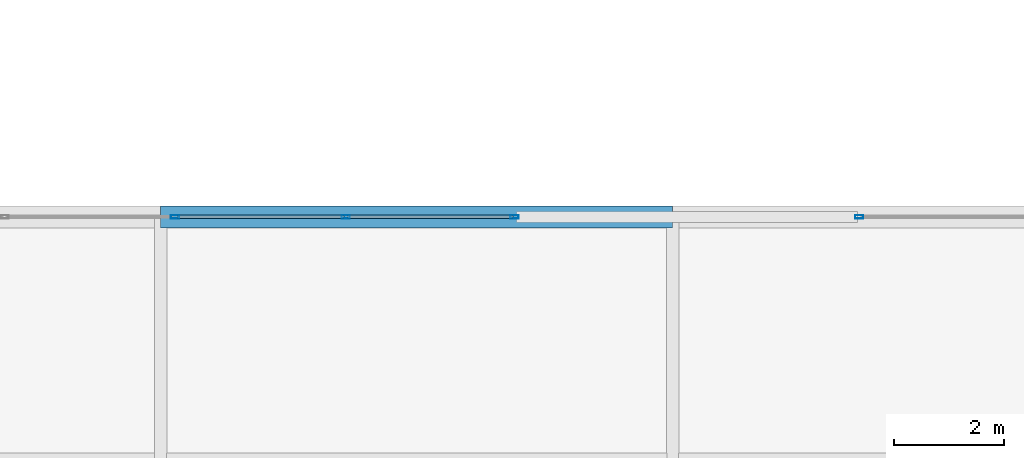
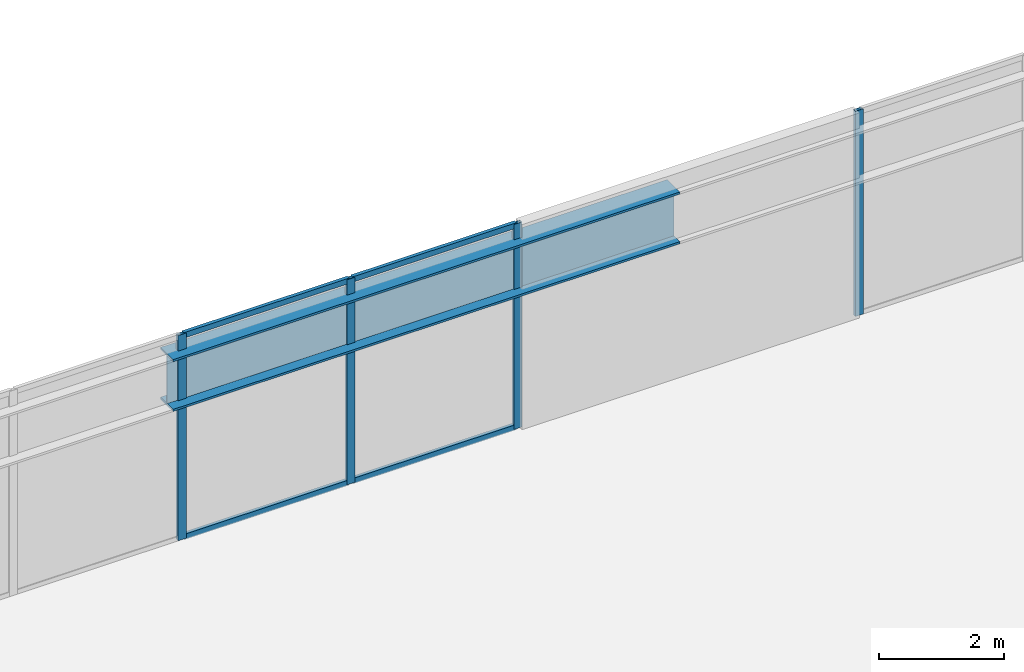
# One storey, part 24 of 51: 8 members, 1 beam, 2 elements without a shape of their own.
"""IFC4 building model written with IfcOpenShell, lengths in metres."""

from ifc_helpers import new_model, si_unit, direction, frame, origin, origin_2d, place, context, subcontext, project, spatial, hollow_rectangle, i_section, extrude, material, material_profile, profile_set, type_object, element, aggregate, save


model = new_model("IFC4")

# Units and contexts
model_context = context("Model", 3, precision=1e-05, world=origin(), true_north=direction((0.0, 1.0)))
body_context = subcontext(model_context, "Body", "Model", "MODEL_VIEW")
ifc_project = project(units=[si_unit("LENGTHUNIT", "METRE"), si_unit("AREAUNIT", "SQUARE_METRE"), si_unit("VOLUMEUNIT", "CUBIC_METRE"), si_unit("PLANEANGLEUNIT", "RADIAN"), si_unit("MASSUNIT", "GRAM", prefix="KILO")], contexts=[model_context])

# Site, building, storey
site_placement = place(None, origin())
site = spatial("IfcSite", under=ifc_project, at=site_placement, CompositionType="ELEMENT")
building_placement = place(site_placement, origin())
building = spatial("IfcBuilding", under=site, at=building_placement, Name="Tashvorn Skyway Center", CompositionType="ELEMENT")
storey_placement = place(building_placement, frame((0.0, 0.0, 259.39990234375)))
storey = spatial("IfcBuildingStorey", under=building, at=storey_placement, Name="L70", CompositionType="ELEMENT", Elevation=259.39990234375)

# Beam
ifc_material_1 = material(Name="Steel ASTM A913 Grade 65", Category="steel")
ifc_material_profile_1 = material_profile(ifc_material_1, i_section(OverallWidth=0.40087890625, OverallDepth=1.010986328125, WebThickness=0.023681640625, FlangeThickness=0.0419921875, at=origin_2d()), Name="W40X297")
ifc_profile_set_1 = profile_set([ifc_material_profile_1], Name="Steel ASTM A913 Grade 65")
beam_type = type_object("IfcBeamType", Name="BM-BEAM-W40X297", PredefinedType="BEAM", material=ifc_profile_set_1)
beam_placement = place(storey_placement, frame((66.39990234375, 39.89990234375, 3.194580078125), z_axis=(1.0, 0.0, 0.0), x_axis=(0.0, 1.0, 0.0)))
element("IfcBeam", 1, at=beam_placement, inside=storey, type_object=beam_type, Name="Sky-Park Truss 2 Top Chord Panel 07", PredefinedType="BEAM", context=body_context, shape_type="SweptSolid", body=[
    extrude(i_section(OverallWidth=0.40087890625, OverallDepth=1.010986328125, WebThickness=0.023681640625, FlangeThickness=0.0419921875, at=origin_2d()), origin(), (0.0, 0.0, 1.0), 9.35009765625),
])

# Curtain wall, members
ifc_material_2 = material(Name="Thermally broken bronze-anodized aluminium 6063-T6", Category="aluminium")
curtain_wall_type = type_object("IfcCurtainWallType", Name="CW-CW-SKY", PredefinedType="NOTDEFINED", material=ifc_material_2)
curtain_wall_1_placement = place(storey_placement, origin())
curtain_wall_1 = element("IfcCurtainWall", 2, at=curtain_wall_1_placement, inside=storey, type_object=curtain_wall_type, Name="Sky-Park L70 Bridge North Curtain Wall Glazing Group 1", PredefinedType="NOTDEFINED")
ifc_material_profile_2 = material_profile(ifc_material_2, hollow_rectangle(XDim=0.06494140625, YDim=0.14990234375, WallThickness=0.00390625, at=origin_2d()), Name="ALU-MULL-65x150")
ifc_profile_set_2 = profile_set([ifc_material_profile_2], Name="Thermally broken bronze-anodized aluminium 6063-T6")
member_type_1 = type_object("IfcMemberType", Name="CWM-CW-SKY", PredefinedType="MULLION", material=ifc_profile_set_2)
member_1_placement = place(storey_placement, frame((66.6650390625, 39.89990234375, 0.0), z_axis=(0.0, 0.0, 1.0), x_axis=(0.0, 1.0, 0.0)))
member_1 = element("IfcMember", 3, at=member_1_placement, type_object=member_type_1, Name="CW-SKY mullion 3", PredefinedType="MULLION", context=body_context, shape_type="SweptSolid", body=[
    extrude(hollow_rectangle(XDim=0.06494140625, YDim=0.14990234375, WallThickness=0.00390625, at=origin_2d()), origin(), (0.0, 0.0, 1.0), 4.0),
])
member_2_placement = place(storey_placement, frame((69.780029296875, 39.89990234375, 0.0), z_axis=(0.0, 0.0, 1.0), x_axis=(0.0, 1.0, 0.0)))
member_2 = element("IfcMember", 4, at=member_2_placement, type_object=member_type_1, Name="CW-SKY mullion 4", PredefinedType="MULLION", context=body_context, shape_type="SweptSolid", body=[
    extrude(hollow_rectangle(XDim=0.06494140625, YDim=0.14990234375, WallThickness=0.00390625, at=origin_2d()), origin(), (0.0, 0.0, 1.0), 4.0),
])
member_3_placement = place(storey_placement, frame((72.862548828125, 39.89990234375, 0.0), z_axis=(0.0, 0.0, 1.0), x_axis=(0.0, 1.0, 0.0)))
member_3 = element("IfcMember", 5, at=member_3_placement, type_object=member_type_1, Name="CW-SKY mullion 5", PredefinedType="MULLION", context=body_context, shape_type="SweptSolid", body=[
    extrude(hollow_rectangle(XDim=0.06494140625, YDim=0.14990234375, WallThickness=0.00390625, at=origin_2d()), origin(), (0.0, 0.0, 1.0), 4.0),
])

# Curtain wall, member
curtain_wall_2_placement = place(storey_placement, origin())
curtain_wall_2 = element("IfcCurtainWall", 6, at=curtain_wall_2_placement, inside=storey, type_object=curtain_wall_type, Name="Sky-Park L70 Bridge North Curtain Wall Glazing Group 2", PredefinedType="NOTDEFINED")
member_4_placement = place(storey_placement, frame((79.157470703125, 39.89990234375, 0.0), z_axis=(0.0, 0.0, 1.0), x_axis=(0.0, 1.0, 0.0)))
member_4 = element("IfcMember", 7, at=member_4_placement, type_object=member_type_1, Name="CW-SKY mullion 1", PredefinedType="MULLION", context=body_context, shape_type="SweptSolid", body=[
    extrude(hollow_rectangle(XDim=0.06494140625, YDim=0.14990234375, WallThickness=0.00390625, at=origin_2d()), origin(), (0.0, 0.0, 1.0), 4.0),
])
aggregate(curtain_wall_2, [member_4])

# Member
ifc_material_profile_3 = material_profile(ifc_material_2, hollow_rectangle(XDim=0.06494140625, YDim=0.10498046875, WallThickness=0.00390625, at=origin_2d()), Name="ALU-TRAN-65x105")
ifc_profile_set_3 = profile_set([ifc_material_profile_3], Name="Thermally broken bronze-anodized aluminium 6063-T6")
member_type_2 = type_object("IfcMemberType", Name="CWT-CW-SKY", PredefinedType="USERDEFINED", material=ifc_profile_set_3)
member_5_placement = place(storey_placement, frame((66.697509765625, 39.89990234375, 0.03271484375), z_axis=(1.0, 0.0, 0.0), x_axis=(0.0, 1.0, 0.0)))
member_5 = element("IfcMember", 8, at=member_5_placement, type_object=member_type_2, Name="CW-SKY transom 3.1", ObjectType="TRANSOM", PredefinedType="USERDEFINED", context=body_context, shape_type="SweptSolid", body=[
    extrude(hollow_rectangle(XDim=0.06494140625, YDim=0.10498046875, WallThickness=0.00390625, at=origin_2d()), origin(), (0.0, 0.0, 1.0), 3.050048828125),
])

member_6_placement = place(storey_placement, frame((66.697509765625, 39.89990234375, 3.967529296875), z_axis=(1.0, 0.0, 0.0), x_axis=(0.0, 1.0, 0.0)))
member_6 = element("IfcMember", 9, at=member_6_placement, type_object=member_type_2, Name="CW-SKY transom 3.2", ObjectType="TRANSOM", PredefinedType="USERDEFINED", context=body_context, shape_type="SweptSolid", body=[
    extrude(hollow_rectangle(XDim=0.06494140625, YDim=0.10498046875, WallThickness=0.00390625, at=origin_2d()), origin(), (0.0, 0.0, 1.0), 3.050048828125),
])

member_7_placement = place(storey_placement, frame((69.8125, 39.89990234375, 0.03271484375), z_axis=(1.0, 0.0, 0.0), x_axis=(0.0, 1.0, 0.0)))
member_7 = element("IfcMember", 10, at=member_7_placement, type_object=member_type_2, Name="CW-SKY transom 4.1", ObjectType="TRANSOM", PredefinedType="USERDEFINED", context=body_context, shape_type="SweptSolid", body=[
    extrude(hollow_rectangle(XDim=0.06494140625, YDim=0.10498046875, WallThickness=0.00390625, at=origin_2d()), origin(), (0.0, 0.0, 1.0), 3.017578125),
])

member_8_placement = place(storey_placement, frame((69.8125, 39.89990234375, 3.967529296875), z_axis=(1.0, 0.0, 0.0), x_axis=(0.0, 1.0, 0.0)))
member_8 = element("IfcMember", 11, at=member_8_placement, type_object=member_type_2, Name="CW-SKY transom 4.2", ObjectType="TRANSOM", PredefinedType="USERDEFINED", context=body_context, shape_type="SweptSolid", body=[
    extrude(hollow_rectangle(XDim=0.06494140625, YDim=0.10498046875, WallThickness=0.00390625, at=origin_2d()), origin(), (0.0, 0.0, 1.0), 3.017578125),
])

aggregate(curtain_wall_1, [member_1, member_2, member_3, member_5, member_6, member_7, member_8])

save(model, "model.ifc")
